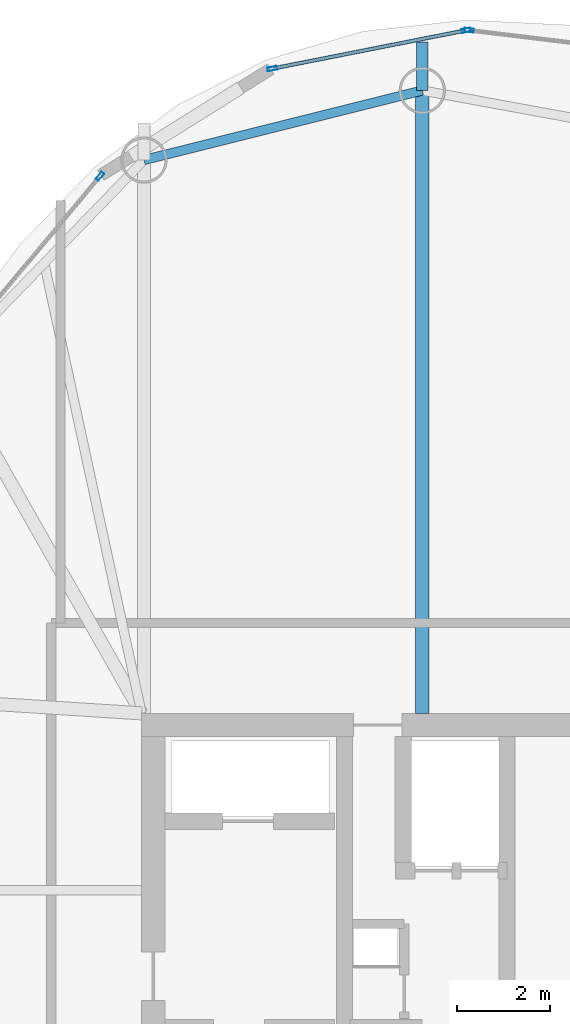
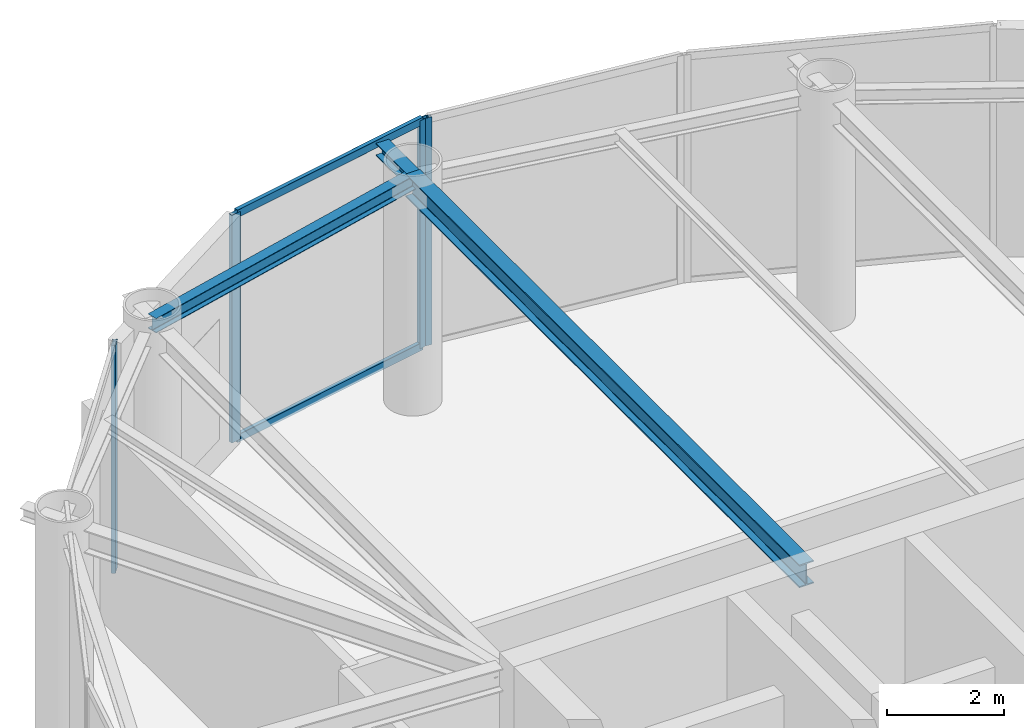
# One storey, part 13 of 23: 6 members, 3 beams, 3 elements without a shape of their own.
"""IFC4 building model written with IfcOpenShell, lengths in metres."""

from ifc_helpers import new_model, si_unit, direction, frame, origin, origin_2d, place, context, subcontext, project, spatial, hollow_rectangle, i_section, extrude, material, layer, layer_set, material_profile, profile_set, type_object, element, aggregate, save


model = new_model("IFC4")

# Units and contexts
model_context = context("Model", 3, precision=1e-05, world=origin(), true_north=direction((0.0, 1.0)))
body_context = subcontext(model_context, "Body", "Model", "MODEL_VIEW")
ifc_project = project(units=[si_unit("LENGTHUNIT", "METRE"), si_unit("AREAUNIT", "SQUARE_METRE"), si_unit("VOLUMEUNIT", "CUBIC_METRE"), si_unit("PLANEANGLEUNIT", "RADIAN"), si_unit("MASSUNIT", "GRAM", prefix="KILO")], contexts=[model_context])

# Site, building, storey
site_placement = place(None, origin())
site = spatial("IfcSite", under=ifc_project, at=site_placement, CompositionType="ELEMENT")
building_placement = place(site_placement, origin())
building = spatial("IfcBuilding", under=site, at=building_placement, Name="Bramvorn Convention Spire", CompositionType="ELEMENT")
storey_placement = place(building_placement, frame((0.0, 0.0, 307.5)))
storey = spatial("IfcBuildingStorey", under=building, at=storey_placement, Name="L78", CompositionType="ELEMENT", Elevation=307.5)

# Beams
ifc_material_1 = material(Name="Steel CSA G40.21 Grade 350 (350W)", Category="steel")
ifc_material_profile_1 = material_profile(ifc_material_1, i_section(OverallWidth=0.25390625, OverallDepth=0.2529296875, WebThickness=0.008544921875, FlangeThickness=0.01416015625, FilletRadius=0.011962890625, at=origin_2d()))
ifc_profile_set_1 = profile_set([ifc_material_profile_1], Name="Steel CSA G40.21 Grade 350 (350W) - W250X73")
beam_type_1 = type_object("IfcBeamType", Name="BM-W250X73", PredefinedType="BEAM", material=ifc_profile_set_1)
beam_1_placement = place(storey_placement, frame((32.8115234375, 46.90087890625, 4.62353515625), z_axis=(0.0, 1.0, 0.0), x_axis=(-1.0, 0.0, 0.0)))
element("IfcBeam", 1, at=beam_1_placement, inside=storey, type_object=beam_type_1, Name="L78 slab-edge cantilever tip beam MC08", PredefinedType="BEAM", context=body_context, shape_type="SweptSolid", body=[
    extrude(i_section(OverallWidth=0.25390625, OverallDepth=0.2529296875, WebThickness=0.008544921875, FlangeThickness=0.01416015625, FilletRadius=0.011962890625, at=origin_2d()), origin(), (0.0, 0.0, 1.0), 1.04345703125),
])
ifc_material_profile_2 = material_profile(ifc_material_1, i_section(OverallWidth=0.202880859375, OverallDepth=0.302978515625, WebThickness=0.007568359375, FlangeThickness=0.01318359375, FilletRadius=0.013916015625, at=origin_2d()))
ifc_profile_set_2 = profile_set([ifc_material_profile_2], Name="Steel CSA G40.21 Grade 350 (350W) - W310X60")
beam_type_2 = type_object("IfcBeamType", Name="BM-W310X60", PredefinedType="JOIST", material=ifc_profile_set_2)
beam_2_placement = place(storey_placement, frame((32.8115234375, 46.90087890625, 4.598388671875), z_axis=(-0.970177255997, -0.24239655927, 0.0), x_axis=(0.24239655927, -0.970177255997, 0.0)))
element("IfcBeam", 2, at=beam_2_placement, inside=storey, type_object=beam_type_2, Name="L78 mega-column ring beam 08", PredefinedType="JOIST", context=body_context, shape_type="SweptSolid", body=[
    extrude(i_section(OverallWidth=0.202880859375, OverallDepth=0.302978515625, WebThickness=0.007568359375, FlangeThickness=0.01318359375, FilletRadius=0.013916015625, at=origin_2d()), origin(), (0.0, 0.0, 1.0), 6.1962890625),
])
ifc_material_profile_3 = material_profile(ifc_material_1, i_section(OverallWidth=0.283935546875, OverallDepth=0.47607421875, WebThickness=0.014892578125, FlangeThickness=0.02392578125, FilletRadius=0.01806640625, at=origin_2d()))
ifc_profile_set_3 = profile_set([ifc_material_profile_3], Name="Steel CSA G40.21 Grade 350 (350W) - W460X158")
beam_type_3 = type_object("IfcBeamType", Name="BM-W460X158", PredefinedType="SPANDREL", material=ifc_profile_set_3)
beam_3_placement = place(storey_placement, frame((32.8115234375, 33.449951171875, 4.511962890625), z_axis=(0.0, 1.0, 0.0), x_axis=(-1.0, 0.0, 0.0)))
element("IfcBeam", 3, at=beam_3_placement, inside=storey, type_object=beam_type_3, Name="L78 radial floor girder MC08", PredefinedType="SPANDREL", context=body_context, shape_type="SweptSolid", body=[
    extrude(i_section(OverallWidth=0.283935546875, OverallDepth=0.47607421875, WebThickness=0.014892578125, FlangeThickness=0.02392578125, FilletRadius=0.01806640625, at=origin_2d()), origin(), (0.0, 0.0, 1.0), 13.450927734375),
])

# Curtain wall, member
ifc_material_2 = material(Name="Anodised Bronze Unitised Curtain Wall", Category="aluminium")
ifc_layer = layer(ifc_material_2, 0.199951171875)
ifc_layer_set = layer_set([ifc_layer], Name="Anodised Bronze Unitised Curtain Wall - CW-PLANT-LOUVRE")
curtain_wall_type = type_object("IfcCurtainWallType", Name="CW-PLANT-LOUVRE", PredefinedType="USERDEFINED", material=ifc_layer_set)
curtain_wall_1_placement = place(storey_placement, origin())
curtain_wall_1 = element("IfcCurtainWall", 4, at=curtain_wall_1_placement, inside=storey, type_object=curtain_wall_type, Name="L78 fritted glass curtain wall 11", ObjectType="UNITISED CURTAIN WALL", PredefinedType="USERDEFINED")
ifc_material_3 = material(Name="Anodised Bronze Aluminium 6063-T6", Category="aluminium")
ifc_material_profile_4 = material_profile(ifc_material_3, hollow_rectangle(XDim=0.080078125, YDim=0.199951171875, WallThickness=0.00390625, InnerFilletRadius=0.0009765625, OuterFilletRadius=0.00390625, at=origin_2d()))
ifc_profile_set_4 = profile_set([ifc_material_profile_4], Name="Anodised Bronze Aluminium 6063-T6 - CWM80X200")
member_type_1 = type_object("IfcMemberType", Name="CW-MUL-180", PredefinedType="MULLION", material=ifc_profile_set_4)
member_1_placement = place(storey_placement, frame((33.818359375, 48.202392578125, 0.0), z_axis=(0.0, 0.0, 1.0), x_axis=(0.120193547798, 0.992750477747, 0.0)))
member_1 = element("IfcMember", 5, at=member_1_placement, type_object=member_type_1, Name="CW5 mullion 1", PredefinedType="MULLION", context=body_context, shape_type="SweptSolid", body=[
    extrude(hollow_rectangle(XDim=0.080078125, YDim=0.199951171875, WallThickness=0.00390625, InnerFilletRadius=0.0009765625, OuterFilletRadius=0.00390625, at=origin_2d()), origin(), (0.0, 0.0, 1.0), 4.75),
])
aggregate(curtain_wall_1, [member_1])

# Curtain wall, members
curtain_wall_2_placement = place(storey_placement, origin())
curtain_wall_2 = element("IfcCurtainWall", 6, at=curtain_wall_2_placement, inside=storey, type_object=curtain_wall_type, Name="L78 fritted glass curtain wall 12", ObjectType="UNITISED CURTAIN WALL", PredefinedType="USERDEFINED")
member_2_placement = place(storey_placement, frame((29.56982421875, 47.3720703125, 0.0), z_axis=(0.0, 0.0, 1.0), x_axis=(-0.193912912149, 0.981018747273, 0.0)))
member_2 = element("IfcMember", 7, at=member_2_placement, type_object=member_type_1, Name="CW5 mullion 1", PredefinedType="MULLION", context=body_context, shape_type="SweptSolid", body=[
    extrude(hollow_rectangle(XDim=0.080078125, YDim=0.199951171875, WallThickness=0.00390625, InnerFilletRadius=0.0009765625, OuterFilletRadius=0.00390625, at=origin_2d()), origin(), (0.0, 0.0, 1.0), 4.75),
])
member_3_placement = place(storey_placement, frame((33.75927734375, 48.2001953125, 0.0), z_axis=(0.0, 0.0, 1.0), x_axis=(-0.193912912149, 0.981018747273, 0.0)))
member_3 = element("IfcMember", 8, at=member_3_placement, type_object=member_type_1, Name="CW5 mullion 2", PredefinedType="MULLION", context=body_context, shape_type="SweptSolid", body=[
    extrude(hollow_rectangle(XDim=0.080078125, YDim=0.199951171875, WallThickness=0.00390625, InnerFilletRadius=0.0009765625, OuterFilletRadius=0.00390625, at=origin_2d()), origin(), (0.0, 0.0, 1.0), 4.75),
])

# Curtain wall, member
curtain_wall_3_placement = place(storey_placement, origin())
curtain_wall_3 = element("IfcCurtainWall", 9, at=curtain_wall_3_placement, inside=storey, type_object=curtain_wall_type, Name="L78 fritted glass curtain wall 14", ObjectType="UNITISED CURTAIN WALL", PredefinedType="USERDEFINED")
member_4_placement = place(storey_placement, frame((25.849609375, 45.04736328125, 0.0), z_axis=(0.0, 0.0, 1.0), x_axis=(-0.767206496733, 0.641400180364, 0.0)))
member_4 = element("IfcMember", 10, at=member_4_placement, type_object=member_type_1, Name="CW5 mullion 2", PredefinedType="MULLION", context=body_context, shape_type="SweptSolid", body=[
    extrude(hollow_rectangle(XDim=0.080078125, YDim=0.199951171875, WallThickness=0.00390625, InnerFilletRadius=0.0009765625, OuterFilletRadius=0.00390625, at=origin_2d()), origin(), (0.0, 0.0, 1.0), 4.75),
])
aggregate(curtain_wall_3, [member_4])

# Member
ifc_material_profile_5 = material_profile(ifc_material_3, hollow_rectangle(XDim=0.080078125, YDim=0.159912109375, WallThickness=0.00390625, InnerFilletRadius=0.0009765625, OuterFilletRadius=0.00390625, at=origin_2d()))
ifc_profile_set_5 = profile_set([ifc_material_profile_5], Name="Anodised Bronze Aluminium 6063-T6 - CWT80X160")
member_type_2 = type_object("IfcMemberType", Name="CW-TRN-150", PredefinedType="USERDEFINED", material=ifc_profile_set_5)
member_5_placement = place(storey_placement, frame((29.599365234375, 47.3779296875, 0.030029296875), z_axis=(0.981019781257, 0.193907681081, 0.0), x_axis=(-0.193907681081, 0.981019781257, 0.0)))
member_5 = element("IfcMember", 11, at=member_5_placement, type_object=member_type_2, Name="CW5 transom 1.1", ObjectType="TRANSOM", PredefinedType="USERDEFINED", context=body_context, shape_type="SweptSolid", body=[
    extrude(hollow_rectangle(XDim=0.080078125, YDim=0.159912109375, WallThickness=0.00390625, InnerFilletRadius=0.0009765625, OuterFilletRadius=0.00390625, at=origin_2d()), origin(), (0.0, 0.0, 1.0), 4.210205078125),
])

member_6_placement = place(storey_placement, frame((29.599365234375, 47.3779296875, 4.719970703125), z_axis=(0.981019781257, 0.193907681081, 0.0), x_axis=(-0.193907681081, 0.981019781257, 0.0)))
member_6 = element("IfcMember", 12, at=member_6_placement, type_object=member_type_2, Name="CW5 transom 1.2", ObjectType="TRANSOM", PredefinedType="USERDEFINED", context=body_context, shape_type="SweptSolid", body=[
    extrude(hollow_rectangle(XDim=0.080078125, YDim=0.159912109375, WallThickness=0.00390625, InnerFilletRadius=0.0009765625, OuterFilletRadius=0.00390625, at=origin_2d()), origin(), (0.0, 0.0, 1.0), 4.210205078125),
])

aggregate(curtain_wall_2, [member_2, member_3, member_5, member_6])

save(model, "model.ifc")
